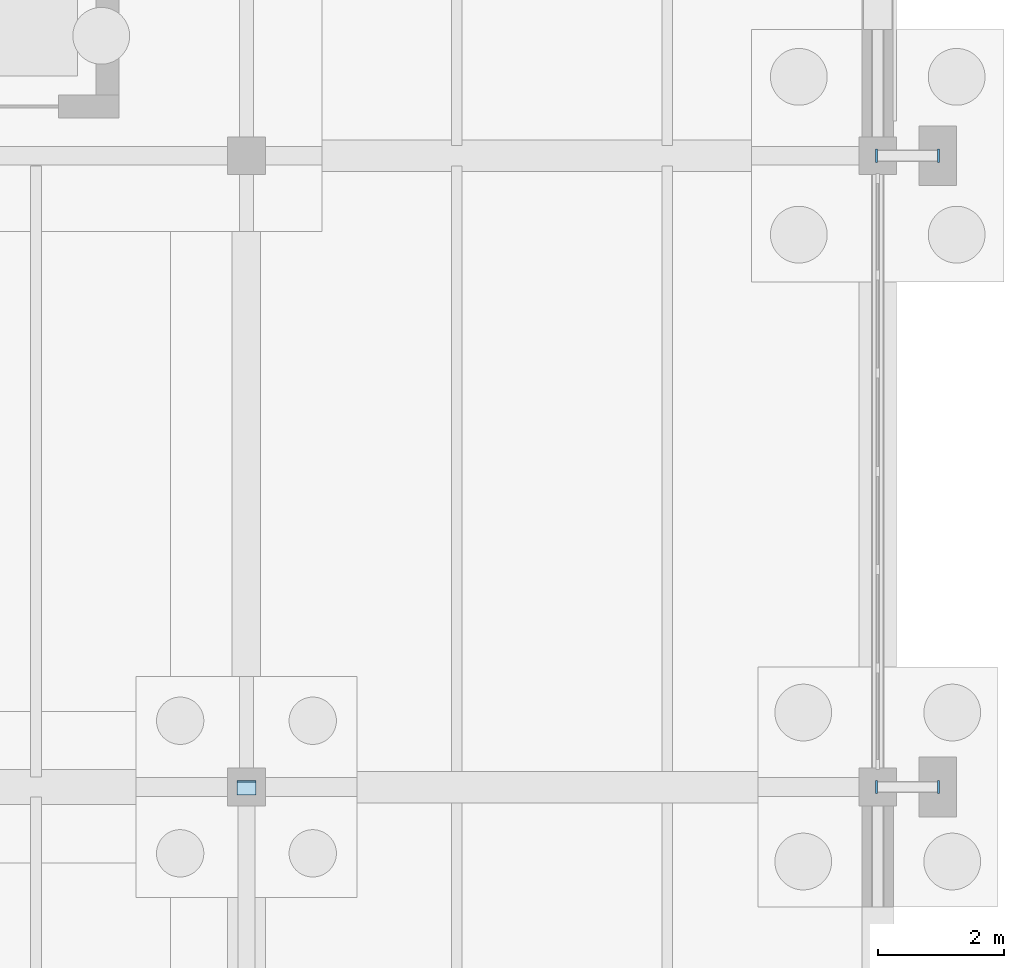
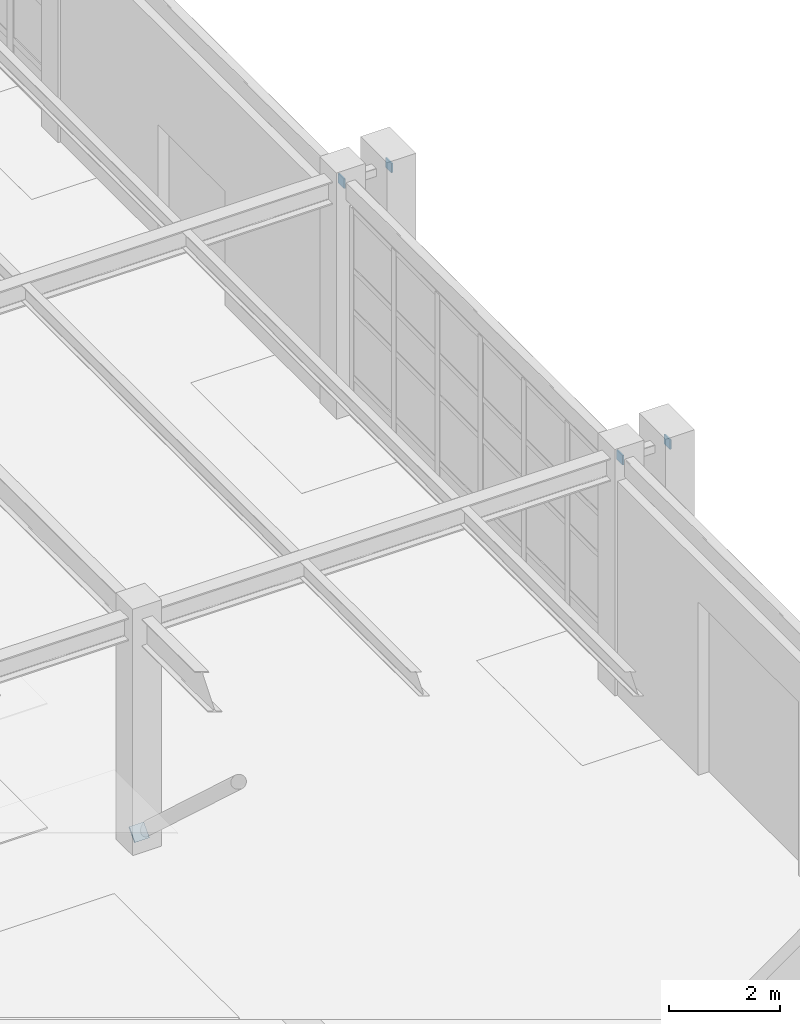
# One storey, part 116 of 145: 5 plates.
"""IFC4 building model written with IfcOpenShell, lengths in metres."""

from ifc_helpers import new_model, si_unit, direction, frame, origin, origin_2d, place, context, subcontext, project, spatial, rectangle, extrude, material, layer, layer_set, type_object, element, save


model = new_model("IFC4")

# Units and contexts
model_context = context("Model", 3, precision=1e-05, world=origin(), true_north=direction((0.0, 1.0)))
body_context = subcontext(model_context, "Body", "Model", "MODEL_VIEW")
ifc_project = project(units=[si_unit("LENGTHUNIT", "METRE"), si_unit("AREAUNIT", "SQUARE_METRE"), si_unit("VOLUMEUNIT", "CUBIC_METRE"), si_unit("PLANEANGLEUNIT", "RADIAN"), si_unit("MASSUNIT", "GRAM", prefix="KILO"), si_unit("THERMODYNAMICTEMPERATUREUNIT", "KELVIN"), si_unit("POWERUNIT", "WATT")], contexts=[model_context])

# Site, building, storey
site_placement = place(None, origin())
site = spatial("IfcSite", under=ifc_project, at=site_placement, CompositionType="ELEMENT")
building_placement = place(site_placement, origin())
building = spatial("IfcBuilding", under=site, at=building_placement, Name="Korenveer Ferry Terminal", CompositionType="ELEMENT")
storey_placement = place(building_placement, origin())
storey = spatial("IfcBuildingStorey", under=building, at=storey_placement, Name="L00", CompositionType="ELEMENT", Elevation=0.0)

# Plates
ifc_material = material(Name="Steel S355", Category="steel")
ifc_layer = layer(ifc_material, 0.031982421875)
ifc_layer_set = layer_set([ifc_layer], Name="Steel S355")
plate_type = type_object("IfcPlateType", Name="STR-PLT-CAP32", PredefinedType="USERDEFINED", material=ifc_layer_set)
for number, where, z_axis, x_axis, name in (
    (1, (175.9677734375, 50.0, 4.949951171875), (1.0, 0.0, 0.0), (0.0, 1.0, 0.0), "Hollow section end cap 131"),
    (2, (176.9501953125, 50.0, 4.949951171875), (1.0, 0.0, 0.0), (0.0, 1.0, 0.0), "Hollow section end cap 132"),
    (3, (175.9677734375, 60.0, 4.949951171875), (1.0, 0.0, 0.0), (0.0, 1.0, 0.0), "Hollow section end cap 137"),
    (4, (176.9501953125, 60.0, 4.949951171875), (1.0, 0.0, 0.0), (0.0, 1.0, 0.0), "Hollow section end cap 138"),
):
    element("IfcPlate", number, at=place(storey_placement, frame(where, z_axis=z_axis, x_axis=x_axis)), inside=storey, type_object=plate_type, Name=name, ObjectType="END CAP PLATE", PredefinedType="USERDEFINED", context=body_context, shape_type="SweptSolid", body=[
        extrude(rectangle(XDim=0.2099609375, YDim=0.2099609375, at=origin_2d()), origin(), (0.0, 0.0, 1.0), 0.031982421875),
    ])
plate_placement = place(storey_placement, frame((166.0, 49.97998046875, 0.239990234375), z_axis=(0.0, 0.737522875906, -0.675322150914), x_axis=(-1.0, 0.0, 0.0)))
element("IfcPlate", 5, at=plate_placement, inside=storey, type_object=plate_type, Name="Hollow section end cap 601", ObjectType="END CAP PLATE", PredefinedType="USERDEFINED", context=body_context, shape_type="SweptSolid", body=[
    extrude(rectangle(XDim=0.302978515625, YDim=0.302978515625, at=origin_2d()), origin(), (0.0, 0.0, 1.0), 0.031982421875),
])

save(model, "model.ifc")
